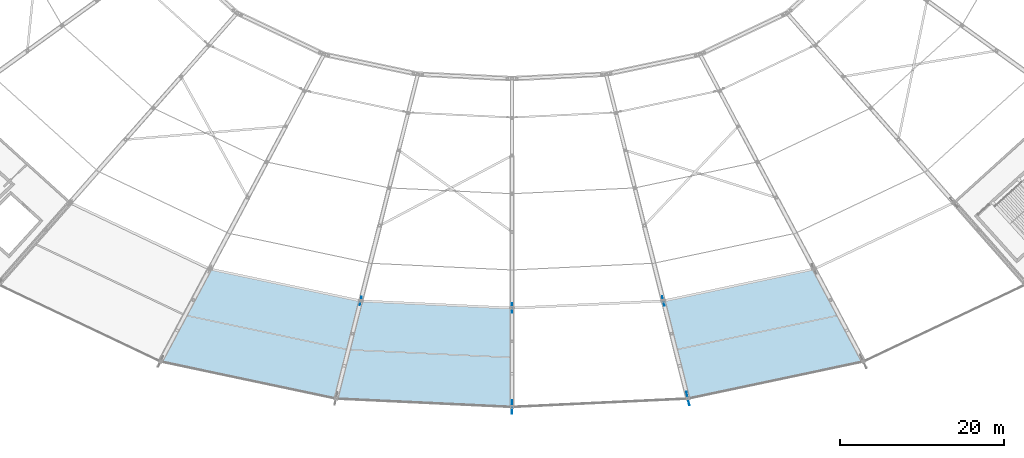
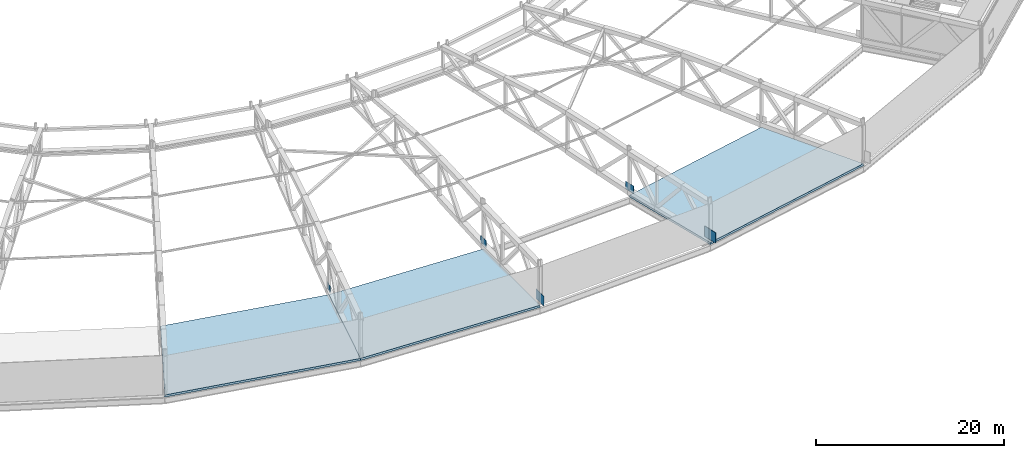
# One storey, part 140 of 162: 5 plates, 3 slabs.
"""IFC4 building model written with IfcOpenShell, lengths in metres."""

from ifc_helpers import new_model, si_unit, direction, frame, origin, origin_2d, place, context, subcontext, project, spatial, polyline, rectangle, outline, extrude, material, layer, layer_set, type_object, element, save


model = new_model("IFC4")

# Units and contexts
model_context = context("Model", 3, precision=1e-05, world=origin(), true_north=direction((0.0, 1.0)))
body_context = subcontext(model_context, "Body", "Model", "MODEL_VIEW")
ifc_project = project(units=[si_unit("LENGTHUNIT", "METRE"), si_unit("AREAUNIT", "SQUARE_METRE"), si_unit("VOLUMEUNIT", "CUBIC_METRE"), si_unit("PLANEANGLEUNIT", "RADIAN"), si_unit("MASSUNIT", "GRAM", prefix="KILO")], contexts=[model_context])

# Site, building, storey
site_placement = place(None, origin())
site = spatial("IfcSite", under=ifc_project, at=site_placement, CompositionType="ELEMENT")
building_placement = place(site_placement, origin())
building = spatial("IfcBuilding", under=site, at=building_placement, Name="Kazemori Nagisa Stadium", CompositionType="ELEMENT")
storey_placement = place(building_placement, frame((0.0, 0.0, 36.719970703125)))
storey = spatial("IfcBuildingStorey", under=building, at=storey_placement, Name="RF", CompositionType="ELEMENT", Elevation=36.719970703125)

# Plates
ifc_material_1 = material(Name="Steel SN490B", Category="steel")
ifc_layer_1 = layer(ifc_material_1, 0.0439453125, Name="Steel SN490B", Category="steel")
ifc_layer_set_1 = layer_set([ifc_layer_1], Name="Steel SN490B")
plate_type_1 = type_object("IfcPlateType", Name="GussetPlate_GP-03", PredefinedType="SHEET", material=ifc_layer_set_1)
plate_1_placement = place(storey_placement, frame((104.572265625, 28.911376953125, 0.47998046875), z_axis=(0.0, 0.0, 1.0), x_axis=(-0.222520933954, -0.974927912182, 0.0)))
element("IfcPlate", 1, at=plate_1_placement, inside=storey, type_object=plate_type_1, Name="Roof truss anchor gusset plate GP-03 RT-21-R2", PredefinedType="SHEET", context=body_context, shape_type="SweptSolid", body=[
    extrude(rectangle(XDim=1.06005859375, YDim=0.0439453125, at=origin_2d()), origin(), (0.0, 0.0, 1.0), 0.8701171875),
])
ifc_layer_2 = layer(ifc_material_1, 0.048095703125, Name="Steel SN490B", Category="steel")
ifc_layer_set_2 = layer_set([ifc_layer_2], Name="Steel SN490B")
plate_type_2 = type_object("IfcPlateType", Name="GussetPlate_GP-04", PredefinedType="SHEET", material=ifc_layer_set_2)
plate_2_placement = place(storey_placement, frame((123.0, 28.0400390625, 0.47998046875), z_axis=(0.0, 0.0, 1.0), x_axis=(0.0, -1.0, 0.0)))
element("IfcPlate", 2, at=plate_2_placement, inside=storey, type_object=plate_type_2, Name="Roof truss anchor gusset plate GP-04 RT-22-R2", PredefinedType="SHEET", context=body_context, shape_type="SweptSolid", body=[
    extrude(rectangle(XDim=1.139892578125, YDim=0.048095703125, at=origin_2d()), origin(), (0.0, 0.0, 1.0), 0.929931640625),
])
ifc_layer_3 = layer(ifc_material_1, 0.035888671875, Name="Steel SN490B", Category="steel")
ifc_layer_set_3 = layer_set([ifc_layer_3], Name="Steel SN490B")
plate_type_3 = type_object("IfcPlateType", Name="GussetPlate_GP-05", PredefinedType="SHEET", material=ifc_layer_set_3)
plate_3_placement = place(storey_placement, frame((141.427734375, 28.911376953125, 0.47998046875), z_axis=(0.0, 0.0, 1.0), x_axis=(0.222520933954, -0.974927912182, 0.0)))
element("IfcPlate", 3, at=plate_3_placement, inside=storey, type_object=plate_type_3, Name="Roof truss anchor gusset plate GP-05 RT-23-R2", PredefinedType="SHEET", context=body_context, shape_type="SweptSolid", body=[
    extrude(rectangle(XDim=1.219970703125, YDim=0.035888671875, at=origin_2d()), origin(), (0.0, 0.0, 1.0), 0.989990234375),
])
ifc_layer_4 = layer(ifc_material_1, 0.0400390625, Name="Steel SN490B", Category="steel")
ifc_layer_set_4 = layer_set([ifc_layer_4], Name="Steel SN490B")
plate_type_4 = type_object("IfcPlateType", Name="GussetPlate_GP-10", PredefinedType="SHEET", material=ifc_layer_set_4)
plate_4_placement = place(storey_placement, frame((123.0, 16.0, 0.360107421875), z_axis=(0.0, 0.0, 1.0), x_axis=(0.0, -1.0, 0.0)))
element("IfcPlate", 4, at=plate_4_placement, inside=storey, type_object=plate_type_4, Name="Roof truss anchor gusset plate GP-10 RT-22-R3", PredefinedType="SHEET", context=body_context, shape_type="SweptSolid", body=[
    extrude(rectangle(XDim=1.6201171875, YDim=0.0400390625, at=origin_2d()), origin(), (0.0, 0.0, 1.0), 1.2900390625),
])
ifc_layer_5 = layer(ifc_material_1, 0.0439453125, Name="Steel SN490B", Category="steel")
ifc_layer_set_5 = layer_set([ifc_layer_5], Name="Steel SN490B")
plate_type_5 = type_object("IfcPlateType", Name="GussetPlate_GP-11", PredefinedType="SHEET", material=ifc_layer_set_5)
plate_5_placement = place(storey_placement, frame((144.427734375, 17.01318359375, 0.35986328125), z_axis=(0.0, 0.0, 1.0), x_axis=(0.222520933954, -0.974927912182, 0.0)))
element("IfcPlate", 5, at=plate_5_placement, inside=storey, type_object=plate_type_5, Name="Roof truss anchor gusset plate GP-11 RT-23-R3", PredefinedType="SHEET", context=body_context, shape_type="SweptSolid", body=[
    extrude(rectangle(XDim=1.699951171875, YDim=0.0439453125, at=origin_2d()), origin(), (0.0, 0.0, 1.0), 1.35009765625),
])

# Slabs
ifc_material_2 = material(Name="Concrete C36/45 (Fc36)", Category="concrete")
ifc_layer_6 = layer(ifc_material_2, 0.280029296875, Name="Concrete C36/45 (Fc36)", Category="concrete")
ifc_layer_set_6 = layer_set([ifc_layer_6], Name="Concrete C36/45 (Fc36)")
slab_type = type_object("IfcSlabType", Name="Slab_SL-RF-GOND-280", PredefinedType="ROOF", material=ifc_layer_set_6)
slab_1_placement = place(storey_placement, frame((0.0, 0.0, -0.280029296875)))
element("IfcSlab", 6, at=slab_1_placement, inside=storey, type_object=slab_type, Name="Media gondola and high-core roof closure slab RF B20", PredefinedType="ROOF", context=body_context, shape_type="SweptSolid", body=[
    extrude(outline(polyline([(86.18798828125, 32.80078125), (104.572265625, 28.911376953125), (101.572265625, 17.01318359375), (80.1953125, 21.53564453125), (86.18798828125, 32.80078125)])), origin(), (0.0, 0.0, 1.0), 0.280029296875),
])
slab_2_placement = place(storey_placement, frame((0.0, 0.0, -0.280029296875)))
element("IfcSlab", 7, at=slab_2_placement, inside=storey, type_object=slab_type, Name="Media gondola and high-core roof closure slab RF B21", PredefinedType="ROOF", context=body_context, shape_type="SweptSolid", body=[
    extrude(outline(polyline([(104.572265625, 28.911376953125), (123.0, 28.0400390625), (123.0, 16.0), (101.572265625, 17.01318359375), (104.572265625, 28.911376953125)])), origin(), (0.0, 0.0, 1.0), 0.280029296875),
])
slab_3_placement = place(storey_placement, frame((0.0, 0.0, -0.280029296875)))
element("IfcSlab", 8, at=slab_3_placement, inside=storey, type_object=slab_type, Name="Media gondola and high-core roof closure slab RF B23", PredefinedType="ROOF", context=body_context, shape_type="SweptSolid", body=[
    extrude(outline(polyline([(141.427734375, 28.911376953125), (159.81201171875, 32.80078125), (165.8046875, 21.53564453125), (144.427734375, 17.01318359375), (141.427734375, 28.911376953125)])), origin(), (0.0, 0.0, 1.0), 0.280029296875),
])

save(model, "model.ifc")
